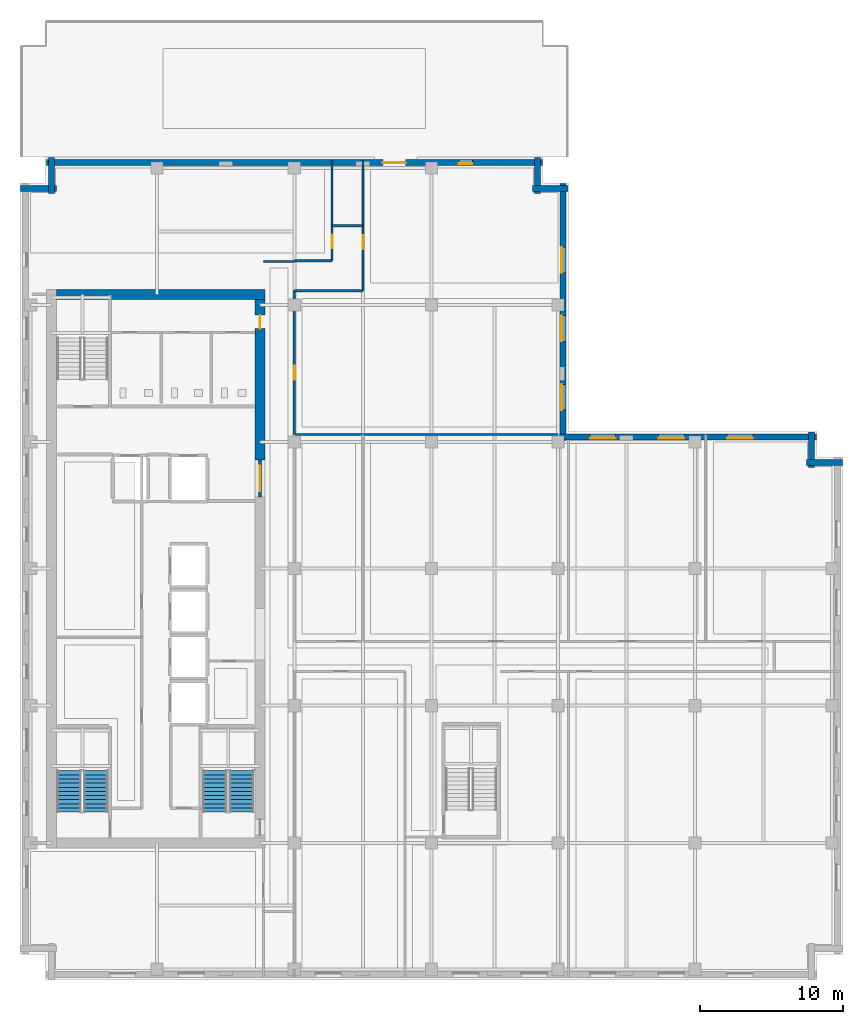
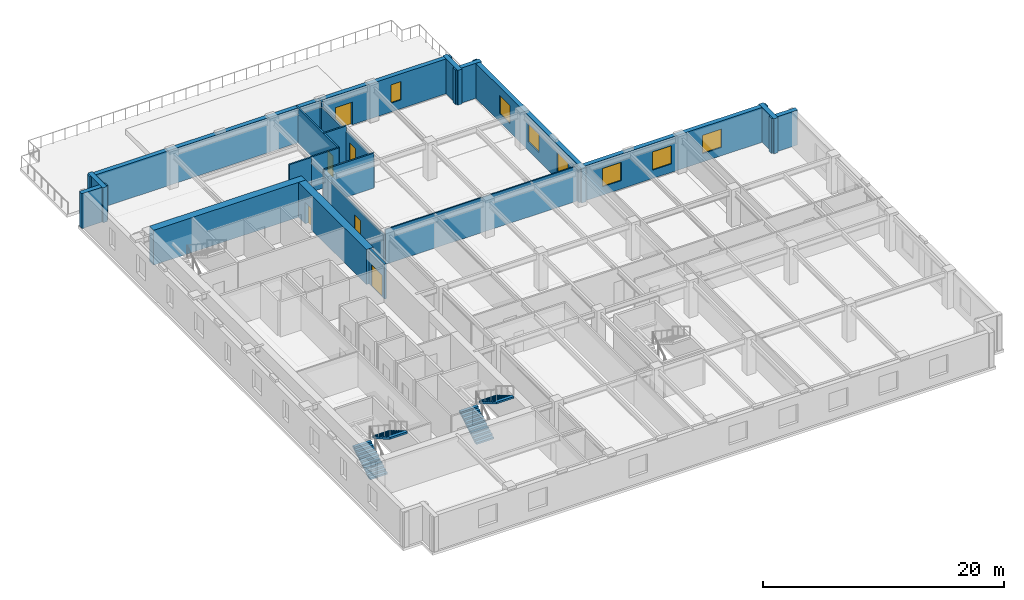
# One storey, part 6 of 12: 21 walls, 7 windows, 6 doors, 4 stair flights, 13 openings, 2 elements without a shape of their own.
"""IFC4 building model written with IfcOpenShell, lengths in metres."""

from ifc_helpers import new_model, si_unit, direction, frame, frame_2d, origin, place, context, subcontext, project, spatial, polyline, rectangle, outline, extrude, material, layer, layer_set, type_object, element, fill, aggregate, save


model = new_model("IFC4")

# Units and contexts
model_context = context("Model", 3, precision=1e-05, world=origin(), true_north=direction((0.0, 1.0)))
body_context = subcontext(model_context, "Body", "Model", "MODEL_VIEW")
ifc_project = project(units=[si_unit("LENGTHUNIT", "METRE"), si_unit("AREAUNIT", "SQUARE_METRE"), si_unit("VOLUMEUNIT", "CUBIC_METRE"), si_unit("PLANEANGLEUNIT", "RADIAN"), si_unit("MASSUNIT", "GRAM", prefix="KILO")], contexts=[model_context])

# Site, building, storey
site_placement = place(None, origin())
site = spatial("IfcSite", under=ifc_project, at=site_placement, CompositionType="ELEMENT")
building_placement = place(site_placement, origin())
building = spatial("IfcBuilding", under=site, at=building_placement, Name="Norrvale University Quadrangle", CompositionType="ELEMENT")
storey_placement = place(building_placement, frame((0.0, 0.0, 199.0)))
storey = spatial("IfcBuildingStorey", under=building, at=storey_placement, Name="L50", CompositionType="ELEMENT", Elevation=199.0)

# Walls
ifc_material_1 = material(Name="Buff Norman Clay Brick Masonry", Category="masonry")
ifc_layer_1 = layer(ifc_material_1, 0.419921875, Name="Buff Norman Clay Brick Masonry")
ifc_layer_set_1 = layer_set([ifc_layer_1], Name="Buff Norman Clay Brick Masonry")
wall_type_1 = type_object("IfcWallType", Name="Wall Buff Brick 420", PredefinedType="SOLIDWALL", material=ifc_layer_set_1)
for number, where, z_axis, x_axis, name in (
    (1, (57.56005859375, 36.2099609375, 0.0), (0.0, 0.0, 1.0), (-1.0, 0.0, 0.0), "Exterior Brick Facade Wall L50-05.1"),
    (2, (55.409912109375, 35.860107421875, 0.0), (0.0, 0.0, 1.0), (0.0, 1.0, 0.0), "Exterior Brick Facade Wall L50-06.1"),
):
    element("IfcWall", number, at=place(storey_placement, frame(where, z_axis=z_axis, x_axis=x_axis)), inside=storey, type_object=wall_type_1, Name=name, PredefinedType="SOLIDWALL", context=body_context, shape_type="SweptSolid", body=[
        extrude(rectangle(XDim=2.5, YDim=0.419921875, at=frame_2d((1.25, 0.0))), origin(), (0.0, 0.0, 1.0), 3.5400390625),
    ])

# Wall, openings, windows
wall_1_placement = place(storey_placement, frame((55.760009765625, 38.010009765625, 0.0), z_axis=(0.0, 0.0, 1.0), x_axis=(-1.0, 0.0, 0.0)))
wall_1 = element("IfcWall", 3, at=wall_1_placement, inside=storey, type_object=wall_type_1, Name="Exterior Brick Facade Wall L50-07.1", PredefinedType="SOLIDWALL", context=body_context, shape_type="SweptSolid", body=[
    extrude(rectangle(XDim=18.10009765625, YDim=0.419921875, at=frame_2d((9.050048828125, 0.0))), origin(), (0.0, 0.0, 1.0), 3.5400390625),
])
opening_1_placement = place(wall_1_placement, frame((4.4599609375, 0.0, 0.85009765625)))
opening_1 = element("IfcOpeningElement", 4, at=opening_1_placement, cuts=wall_1, Name="Opening W01", PredefinedType="OPENING", context=body_context, shape_type="SweptSolid", body=[
    extrude(rectangle(XDim=1.800048828125, YDim=1.85009765625, at=frame_2d((0.89990234375, 0.925048828125))), frame((0.0, 0.221923828125, 0.0), z_axis=(0.0, -1.0, 0.0), x_axis=(1.0, 0.0, 0.0)), (0.0, 0.0, 1.0), 0.44384765625),
])
opening_2_placement = place(wall_1_placement, frame((9.260009765625, 0.0, 0.85009765625)))
opening_2 = element("IfcOpeningElement", 5, at=opening_2_placement, cuts=wall_1, Name="Opening W01", PredefinedType="OPENING", context=body_context, shape_type="SweptSolid", body=[
    extrude(rectangle(XDim=1.800048828125, YDim=1.85009765625, at=frame_2d((0.89990234375, 0.925048828125))), frame((0.0, 0.221923828125, 0.0), z_axis=(0.0, -1.0, 0.0), x_axis=(1.0, 0.0, 0.0)), (0.0, 0.0, 1.0), 0.44384765625),
])
opening_3_placement = place(wall_1_placement, frame((14.06005859375, 0.0, 0.85009765625)))
opening_3 = element("IfcOpeningElement", 6, at=opening_3_placement, cuts=wall_1, Name="Opening W01", PredefinedType="OPENING", context=body_context, shape_type="SweptSolid", body=[
    extrude(rectangle(XDim=1.800048828125, YDim=1.85009765625, at=frame_2d((0.89990234375, 0.925048828125))), frame((0.0, 0.221923828125, 0.0), z_axis=(0.0, -1.0, 0.0), x_axis=(1.0, 0.0, 0.0)), (0.0, 0.0, 1.0), 0.44384765625),
])
ifc_material_2 = material(Name="Triple Low-E Argon Glazing", Category="glass")
window_type_1 = type_object("IfcWindowType", Name="Window Academic 1800x2300", PartitioningType="DOUBLE_PANEL_VERTICAL", PredefinedType="WINDOW", material=ifc_material_2)
window_1_placement = place(opening_1_placement, origin())
window_1 = element("IfcWindow", 7, at=window_1_placement, inside=storey, type_object=window_type_1, Name="Window Academic 1800x2300 WIN-L50-E07-1-01", OverallHeight=1.85009765625, OverallWidth=1.800048828125, PartitioningType="DOUBLE_PANEL_VERTICAL", PredefinedType="WINDOW", context=body_context, shape_type="SweptSolid", body=[
    extrude(rectangle(XDim=1.800048828125, YDim=1.85009765625, at=frame_2d((0.89990234375, 0.925048828125))), frame((0.0, 0.110107421875, 0.0), z_axis=(0.0, -1.0, 0.0), x_axis=(1.0, 0.0, 0.0)), (0.0, 0.0, 1.0), 0.06005859375),
])
fill(opening_1, window_1)
window_2_placement = place(opening_2_placement, origin())
window_2 = element("IfcWindow", 8, at=window_2_placement, inside=storey, type_object=window_type_1, Name="Window Academic 1800x2300 WIN-L50-E07-1-02", OverallHeight=1.85009765625, OverallWidth=1.800048828125, PartitioningType="DOUBLE_PANEL_VERTICAL", PredefinedType="WINDOW", context=body_context, shape_type="SweptSolid", body=[
    extrude(rectangle(XDim=1.800048828125, YDim=1.85009765625, at=frame_2d((0.89990234375, 0.925048828125))), frame((0.0, 0.110107421875, 0.0), z_axis=(0.0, -1.0, 0.0), x_axis=(1.0, 0.0, 0.0)), (0.0, 0.0, 1.0), 0.06005859375),
])
fill(opening_2, window_2)
window_3_placement = place(opening_3_placement, origin())
window_3 = element("IfcWindow", 9, at=window_3_placement, inside=storey, type_object=window_type_1, Name="Window Academic 1800x2300 WIN-L50-E07-1-03", OverallHeight=1.85009765625, OverallWidth=1.800048828125, PartitioningType="DOUBLE_PANEL_VERTICAL", PredefinedType="WINDOW", context=body_context, shape_type="SweptSolid", body=[
    extrude(rectangle(XDim=1.800048828125, YDim=1.85009765625, at=frame_2d((0.89990234375, 0.925048828125))), frame((0.0, 0.110107421875, 0.0), z_axis=(0.0, -1.0, 0.0), x_axis=(1.0, 0.0, 0.0)), (0.0, 0.0, 1.0), 0.06005859375),
])
fill(opening_3, window_3)

wall_2_placement = place(storey_placement, frame((38.010009765625, 37.659912109375, 0.0), z_axis=(0.0, 0.0, 1.0), x_axis=(0.0, 1.0, 0.0)))
wall_2 = element("IfcWall", 10, at=wall_2_placement, inside=storey, type_object=wall_type_1, Name="Exterior Brick Facade Wall L50-08.1", PredefinedType="SOLIDWALL", context=body_context, shape_type="SweptSolid", body=[
    extrude(rectangle(XDim=18.10009765625, YDim=0.419921875, at=frame_2d((9.050048828125, 0.0))), origin(), (0.0, 0.0, 1.0), 3.5400390625),
])
opening_4_placement = place(wall_2_placement, frame((2.239990234375, 0.0, 0.85009765625)))
opening_4 = element("IfcOpeningElement", 11, at=opening_4_placement, cuts=wall_2, Name="Opening W01", PredefinedType="OPENING", context=body_context, shape_type="SweptSolid", body=[
    extrude(rectangle(XDim=1.800048828125, YDim=1.85009765625, at=frame_2d((0.89990234375, 0.925048828125))), frame((0.0, 0.221923828125, 0.0), z_axis=(0.0, -1.0, 0.0), x_axis=(1.0, 0.0, 0.0)), (0.0, 0.0, 1.0), 0.44384765625),
])
opening_5_placement = place(wall_2_placement, frame((7.0400390625, 0.0, 0.85009765625)))
opening_5 = element("IfcOpeningElement", 12, at=opening_5_placement, cuts=wall_2, Name="Opening W01", PredefinedType="OPENING", context=body_context, shape_type="SweptSolid", body=[
    extrude(rectangle(XDim=1.800048828125, YDim=1.85009765625, at=frame_2d((0.89990234375, 0.925048828125))), frame((0.0, 0.221923828125, 0.0), z_axis=(0.0, -1.0, 0.0), x_axis=(1.0, 0.0, 0.0)), (0.0, 0.0, 1.0), 0.44384765625),
])
opening_6_placement = place(wall_2_placement, frame((11.840087890625, 0.0, 0.85009765625)))
opening_6 = element("IfcOpeningElement", 13, at=opening_6_placement, cuts=wall_2, Name="Opening W01", PredefinedType="OPENING", context=body_context, shape_type="SweptSolid", body=[
    extrude(rectangle(XDim=1.800048828125, YDim=1.85009765625, at=frame_2d((0.89990234375, 0.925048828125))), frame((0.0, 0.221923828125, 0.0), z_axis=(0.0, -1.0, 0.0), x_axis=(1.0, 0.0, 0.0)), (0.0, 0.0, 1.0), 0.44384765625),
])
window_4_placement = place(opening_4_placement, origin())
window_4 = element("IfcWindow", 14, at=window_4_placement, inside=storey, type_object=window_type_1, Name="Window Academic 1800x2300 WIN-L50-E08-1-01", OverallHeight=1.85009765625, OverallWidth=1.800048828125, PartitioningType="DOUBLE_PANEL_VERTICAL", PredefinedType="WINDOW", context=body_context, shape_type="SweptSolid", body=[
    extrude(rectangle(XDim=1.800048828125, YDim=1.85009765625, at=frame_2d((0.89990234375, 0.925048828125))), frame((0.0, 0.110107421875, 0.0), z_axis=(0.0, -1.0, 0.0), x_axis=(1.0, 0.0, 0.0)), (0.0, 0.0, 1.0), 0.06005859375),
])
fill(opening_4, window_4)
window_5_placement = place(opening_5_placement, origin())
window_5 = element("IfcWindow", 15, at=window_5_placement, inside=storey, type_object=window_type_1, Name="Window Academic 1800x2300 WIN-L50-E08-1-02", OverallHeight=1.85009765625, OverallWidth=1.800048828125, PartitioningType="DOUBLE_PANEL_VERTICAL", PredefinedType="WINDOW", context=body_context, shape_type="SweptSolid", body=[
    extrude(rectangle(XDim=1.800048828125, YDim=1.85009765625, at=frame_2d((0.89990234375, 0.925048828125))), frame((0.0, 0.110107421875, 0.0), z_axis=(0.0, -1.0, 0.0), x_axis=(1.0, 0.0, 0.0)), (0.0, 0.0, 1.0), 0.06005859375),
])
fill(opening_5, window_5)
window_6_placement = place(opening_6_placement, origin())
window_6 = element("IfcWindow", 16, at=window_6_placement, inside=storey, type_object=window_type_1, Name="Window Academic 1800x2300 WIN-L50-E08-1-03", OverallHeight=1.85009765625, OverallWidth=1.800048828125, PartitioningType="DOUBLE_PANEL_VERTICAL", PredefinedType="WINDOW", context=body_context, shape_type="SweptSolid", body=[
    extrude(rectangle(XDim=1.800048828125, YDim=1.85009765625, at=frame_2d((0.89990234375, 0.925048828125))), frame((0.0, 0.110107421875, 0.0), z_axis=(0.0, -1.0, 0.0), x_axis=(1.0, 0.0, 0.0)), (0.0, 0.0, 1.0), 0.06005859375),
])
fill(opening_6, window_6)

# Walls
for number, where, z_axis, x_axis, name in (
    (17, (38.360107421875, 55.409912109375, 0.0), (0.0, 0.0, 1.0), (-1.0, 0.0, 0.0), "Exterior Brick Facade Wall L50-09.1"),
    (18, (36.2099609375, 55.06005859375, 0.0), (0.0, 0.0, 1.0), (0.0, 1.0, 0.0), "Exterior Brick Facade Wall L50-10.1"),
):
    element("IfcWall", number, at=place(storey_placement, frame(where, z_axis=z_axis, x_axis=x_axis)), inside=storey, type_object=wall_type_1, Name=name, PredefinedType="SOLIDWALL", context=body_context, shape_type="SweptSolid", body=[
        extrude(rectangle(XDim=2.5, YDim=0.419921875, at=frame_2d((1.25, 0.0))), origin(), (0.0, 0.0, 1.0), 3.5400390625),
    ])

# Wall, openings, door, window
wall_3_placement = place(storey_placement, frame((36.56005859375, 57.2099609375, 0.0), z_axis=(0.0, 0.0, 1.0), x_axis=(-1.0, 0.0, 0.0)))
wall_3 = element("IfcWall", 19, at=wall_3_placement, inside=storey, type_object=wall_type_1, Name="Exterior Brick Facade Wall L50-11.1", PredefinedType="SOLIDWALL", context=body_context, shape_type="SweptSolid", body=[
    extrude(rectangle(XDim=34.719970703125, YDim=0.419921875, at=frame_2d((17.35986328125, 0.0))), origin(), (0.0, 0.0, 1.0), 3.5400390625),
])
opening_7_placement = place(wall_3_placement, frame((9.56005859375, 0.0, 0.0)))
opening_7 = element("IfcOpeningElement", 20, at=opening_7_placement, cuts=wall_3, Name="Opening D09", PredefinedType="OPENING", context=body_context, shape_type="SweptSolid", body=[
    extrude(rectangle(XDim=1.60009765625, YDim=2.300048828125, at=frame_2d((0.800048828125, 1.14990234375))), frame((0.0, 0.221923828125, 0.0), z_axis=(0.0, -1.0, 0.0), x_axis=(1.0, 0.0, 0.0)), (0.0, 0.0, 1.0), 0.44384765625),
])
opening_8_placement = place(wall_3_placement, frame((4.885009765625, 0.0, 0.89990234375)))
opening_8 = element("IfcOpeningElement", 21, at=opening_8_placement, cuts=wall_3, Name="Opening W04", PredefinedType="OPENING", context=body_context, shape_type="SweptSolid", body=[
    extrude(rectangle(XDim=0.949951171875, YDim=1.85009765625, at=frame_2d((0.47509765625, 0.925048828125))), frame((0.0, 0.221923828125, 0.0), z_axis=(0.0, -1.0, 0.0), x_axis=(1.0, 0.0, 0.0)), (0.0, 0.0, 1.0), 0.44384765625),
])
ifc_material_3 = material(Name="Thermally Broken Glazed Terrace Door")
door_type_1 = type_object("IfcDoorType", Name="Door Terrace 1600x2300", OperationType="DOUBLE_SWING_LEFT", PredefinedType="DOOR", material=ifc_material_3)
door_1_placement = place(opening_7_placement, frame((1.60009765625, 0.0, 0.0), z_axis=(0.0, 0.0, 1.0), x_axis=(-1.0, 0.0, 0.0)))
door_1 = element("IfcDoor", 22, at=door_1_placement, inside=storey, type_object=door_type_1, Name="Door Terrace 1600x2300 DR-L50-TERR-N", OperationType="DOUBLE_SWING_LEFT", OverallHeight=2.300048828125, OverallWidth=1.60009765625, PredefinedType="DOOR", context=body_context, shape_type="SweptSolid", body=[
    extrude(rectangle(XDim=1.60009765625, YDim=2.300048828125, at=frame_2d((0.800048828125, 1.14990234375))), frame((0.0, 0.02490234375, 0.0), z_axis=(0.0, -1.0, 0.0), x_axis=(1.0, 0.0, 0.0)), (0.0, 0.0, 1.0), 0.050048828125),
])
fill(opening_7, door_1)
window_type_2 = type_object("IfcWindowType", Name="Window Narrow Pier 950x2300", PartitioningType="SINGLE_PANEL", PredefinedType="WINDOW", material=ifc_material_2)
window_7_placement = place(opening_8_placement, origin())
window_7 = element("IfcWindow", 23, at=window_7_placement, inside=storey, type_object=window_type_2, Name="Window Narrow Pier 950x2300 WIN-L50-E11-1-01", OverallHeight=1.85009765625, OverallWidth=0.949951171875, PartitioningType="SINGLE_PANEL", PredefinedType="WINDOW", context=body_context, shape_type="SweptSolid", body=[
    extrude(rectangle(XDim=0.949951171875, YDim=1.85009765625, at=frame_2d((0.47509765625, 0.925048828125))), frame((0.0, 0.110107421875, 0.0), z_axis=(0.0, -1.0, 0.0), x_axis=(1.0, 0.0, 0.0)), (0.0, 0.0, 1.0), 0.06005859375),
])
fill(opening_8, window_7)

# Walls
for number, where, z_axis, x_axis, name in (
    (24, (2.18994140625, 57.56005859375, 0.0), (0.0, 0.0, 1.0), (0.0, -1.0, 0.0), "Exterior Brick Facade Wall L50-12.1"),
    (25, (2.5400390625, 55.409912109375, 0.0), (0.0, 0.0, 1.0), (-1.0, 0.0, 0.0), "Exterior Brick Facade Wall L50-13.1"),
):
    element("IfcWall", number, at=place(storey_placement, frame(where, z_axis=z_axis, x_axis=x_axis)), inside=storey, type_object=wall_type_1, Name=name, PredefinedType="SOLIDWALL", context=body_context, shape_type="SweptSolid", body=[
        extrude(rectangle(XDim=2.5, YDim=0.419921875, at=frame_2d((1.25, 0.0))), origin(), (0.0, 0.0, 1.0), 3.5400390625),
    ])
ifc_material_4 = material(Name="Concrete C60/75", Category="concrete")
ifc_layer_2 = layer(ifc_material_4, 0.699951171875, Name="Concrete C60/75")
ifc_layer_set_2 = layer_set([ifc_layer_2], Name="Concrete C60/75")
wall_type_2 = type_object("IfcWallType", Name="Wall Core 700", PredefinedType="SHEAR", material=ifc_layer_set_2)
wall_4_placement = place(storey_placement, frame((2.550048828125, 48.0, 0.0), z_axis=(0.0, 0.0, 1.0), x_axis=(1.0, 0.0, 0.0)))
element("IfcWall", 26, at=wall_4_placement, inside=storey, type_object=wall_type_2, Name="Tower Core Shear Wall L50-N", PredefinedType="SHEAR", context=body_context, shape_type="SweptSolid", body=[
    extrude(rectangle(XDim=14.599853515625, YDim=0.699951171875, at=frame_2d((7.2998046875, 0.0))), origin(), (0.0, 0.0, 1.0), 3.5400390625),
])

# Wall, opening, door
wall_5_placement = place(storey_placement, frame((16.800048828125, 36.39990234375, 0.0), z_axis=(0.0, 0.0, 1.0), x_axis=(0.0, 1.0, 0.0)))
wall_5 = element("IfcWall", 27, at=wall_5_placement, inside=storey, type_object=wall_type_2, Name="Tower Core Shear Wall L50-E3", PredefinedType="SHEAR", context=body_context, shape_type="SweptSolid", body=[
    extrude(rectangle(XDim=11.25, YDim=0.699951171875, at=frame_2d((5.625, 0.0))), origin(), (0.0, 0.0, 1.0), 3.5400390625),
])
opening_9_placement = place(wall_5_placement, frame((9.199951171875, 0.0, 0.0)))
opening_9 = element("IfcOpeningElement", 28, at=opening_9_placement, cuts=wall_5, Name="Opening D07", PredefinedType="OPENING", context=body_context, shape_type="SweptSolid", body=[
    extrude(rectangle(XDim=0.949951171875, YDim=2.14990234375, at=frame_2d((0.47509765625, 1.074951171875))), frame((0.0, 0.362060546875, 0.0), z_axis=(0.0, -1.0, 0.0), x_axis=(1.0, 0.0, 0.0)), (0.0, 0.0, 1.0), 0.723876953125),
])
ifc_material_5 = material(Name="Solid-Core Maple Door", Category="wood")
door_type_2 = type_object("IfcDoorType", Name="Door Office 950x2150", OperationType="NOTDEFINED", PredefinedType="DOOR", material=ifc_material_5)
door_2_placement = place(opening_9_placement, origin())
door_2 = element("IfcDoor", 29, at=door_2_placement, inside=storey, type_object=door_type_2, Name="Door Office 950x2150 DR-L50-NECORR", OperationType="SINGLE_SWING_LEFT", OverallHeight=2.14990234375, OverallWidth=0.949951171875, PredefinedType="DOOR", context=body_context, shape_type="SweptSolid", body=[
    extrude(rectangle(XDim=0.949951171875, YDim=2.14990234375, at=frame_2d((0.47509765625, 1.074951171875))), frame((0.0, 0.02490234375, 0.0), z_axis=(0.0, -1.0, 0.0), x_axis=(1.0, 0.0, 0.0)), (0.0, 0.0, 1.0), 0.050048828125),
])
fill(opening_9, door_2)

# Walls
ifc_material_6 = material(Name="Standard Academic Gypsum Partition")
ifc_layer_3 = layer(ifc_material_6, 0.125, Name="Standard Academic Gypsum Partition")
ifc_layer_set_3 = layer_set([ifc_layer_3], Name="Standard Academic Gypsum Partition")
wall_type_3 = type_object("IfcWallType", Name="Wall Gypsum Academic 125", PredefinedType="PARTITIONING", material=ifc_layer_set_3)
wall_6_placement = place(storey_placement, frame((19.280029296875, 38.179931640625, 0.0), z_axis=(0.0, 0.0, 1.0), x_axis=(1.0, 0.0, 0.0)))
element("IfcWall", 30, at=wall_6_placement, inside=storey, type_object=wall_type_3, Name="Interior Partition WL-L50-ME-N", PredefinedType="PARTITIONING", context=body_context, shape_type="SweptSolid", body=[
    extrude(rectangle(XDim=18.369873046875, YDim=0.125, at=frame_2d((9.18505859375, 0.0))), origin(), (0.0, 0.0, 1.0), 3.5400390625),
])
ifc_material_7 = material(Name="Fire-Rated Gypsum Stud Partition")
ifc_layer_4 = layer(ifc_material_7, 0.14990234375, Name="Fire-Rated Gypsum Stud Partition")
ifc_layer_set_4 = layer_set([ifc_layer_4], Name="Fire-Rated Gypsum Stud Partition")
wall_type_4 = type_object("IfcWallType", Name="Wall Gypsum Corridor 150", PredefinedType="PARTITIONING", material=ifc_layer_set_4)
wall_7_placement = place(storey_placement, frame((17.050048828125, 50.300048828125, 0.0), z_axis=(0.0, 0.0, 1.0), x_axis=(1.0, 0.0, 0.0)))
element("IfcWall", 31, at=wall_7_placement, inside=storey, type_object=wall_type_4, Name="Interior Partition WL-L50-CSP-N", PredefinedType="PARTITIONING", context=body_context, shape_type="SweptSolid", body=[
    extrude(rectangle(XDim=2.14990234375, YDim=0.14990234375, at=frame_2d((1.074951171875, 0.0))), origin(), (0.0, 0.0, 1.0), 3.5400390625),
])

# Wall, opening, door
wall_8_placement = place(storey_placement, frame((19.199951171875, 38.179931640625, 0.0), z_axis=(0.0, 0.0, 1.0), x_axis=(0.0, 1.0, 0.0)))
wall_8 = element("IfcWall", 32, at=wall_8_placement, inside=storey, type_object=wall_type_4, Name="Interior Partition WL-L50-MNECW", PredefinedType="PARTITIONING", context=body_context, shape_type="SweptSolid", body=[
    extrude(rectangle(XDim=10.070068359375, YDim=0.14990234375, at=frame_2d((5.03515625, 0.0))), origin(), (0.0, 0.0, 1.0), 2.99609375),
])
opening_10_placement = place(wall_8_placement, frame((3.85009765625, 0.0, 0.0)))
opening_10 = element("IfcOpeningElement", 33, at=opening_10_placement, cuts=wall_8, Name="Opening D07", PredefinedType="OPENING", context=body_context, shape_type="SweptSolid", body=[
    extrude(rectangle(XDim=0.949951171875, YDim=2.14990234375, at=frame_2d((0.47509765625, 1.074951171875))), frame((0.0, 0.0869140625, 0.0), z_axis=(0.0, -1.0, 0.0), x_axis=(1.0, 0.0, 0.0)), (0.0, 0.0, 1.0), 0.173828125),
])
door_3_placement = place(opening_10_placement, origin())
door_3 = element("IfcDoor", 34, at=door_3_placement, inside=storey, type_object=door_type_2, Name="Door Office 950x2150 DR-L50-MNE01", OperationType="SINGLE_SWING_RIGHT", OverallHeight=2.14990234375, OverallWidth=0.949951171875, PredefinedType="DOOR", context=body_context, shape_type="SweptSolid", body=[
    extrude(rectangle(XDim=0.949951171875, YDim=2.14990234375, at=frame_2d((0.47509765625, 1.074951171875))), frame((0.0, 0.02490234375, 0.0), z_axis=(0.0, -1.0, 0.0), x_axis=(1.0, 0.0, 0.0)), (0.0, 0.0, 1.0), 0.050048828125),
])
fill(opening_10, door_3)

# Walls
wall_9_placement = place(storey_placement, frame((19.199951171875, 48.25, 0.0), z_axis=(0.0, 0.0, 1.0), x_axis=(1.0, 0.0, 0.0)))
element("IfcWall", 35, at=wall_9_placement, inside=storey, type_object=wall_type_4, Name="Interior Partition WL-L50-JOGS", PredefinedType="PARTITIONING", context=body_context, shape_type="SweptSolid", body=[
    extrude(rectangle(XDim=4.800048828125, YDim=0.14990234375, at=frame_2d((2.39990234375, 0.0))), origin(), (0.0, 0.0, 1.0), 3.5400390625),
])
wall_10_placement = place(storey_placement, frame((19.199951171875, 50.35009765625, 0.0), z_axis=(0.0, 0.0, 1.0), x_axis=(1.0, 0.0, 0.0)))
element("IfcWall", 36, at=wall_10_placement, inside=storey, type_object=wall_type_4, Name="Interior Partition WL-L50-JOGN", PredefinedType="PARTITIONING", context=body_context, shape_type="SweptSolid", body=[
    extrude(rectangle(XDim=2.650146484375, YDim=0.14990234375, at=frame_2d((1.3251953125, 0.0))), origin(), (0.0, 0.0, 1.0), 3.5400390625),
])
wall_11_placement = place(storey_placement, frame((21.85009765625, 52.800048828125, 0.0), z_axis=(0.0, 0.0, 1.0), x_axis=(1.0, 0.0, 0.0)))
element("IfcWall", 37, at=wall_11_placement, inside=storey, type_object=wall_type_4, Name="Interior Partition WL-L50-JOGEND", PredefinedType="PARTITIONING", context=body_context, shape_type="SweptSolid", body=[
    extrude(rectangle(XDim=2.14990234375, YDim=0.14990234375, at=frame_2d((1.074951171875, 0.0))), origin(), (0.0, 0.0, 1.0), 3.5400390625),
])

# Wall, opening, door
wall_12_placement = place(storey_placement, frame((24.0, 48.25, 0.0), z_axis=(0.0, 0.0, 1.0), x_axis=(0.0, 1.0, 0.0)))
wall_12 = element("IfcWall", 38, at=wall_12_placement, inside=storey, type_object=wall_type_4, Name="Interior Partition WL-L50-NECW", PredefinedType="PARTITIONING", context=body_context, shape_type="SweptSolid", body=[
    extrude(rectangle(XDim=8.493896484375, YDim=0.14990234375, at=frame_2d((4.2470703125, 0.0))), origin(), (0.0, 0.0, 1.0), 3.007080078125),
])
opening_11_placement = place(wall_12_placement, frame((2.89990234375, 0.0, 0.0)))
opening_11 = element("IfcOpeningElement", 39, at=opening_11_placement, cuts=wall_12, Name="Opening D04", PredefinedType="OPENING", context=body_context, shape_type="SweptSolid", body=[
    extrude(rectangle(XDim=1.0, YDim=2.199951171875, at=frame_2d((0.5, 1.10009765625))), frame((0.0, 0.0869140625, 0.0), z_axis=(0.0, -1.0, 0.0), x_axis=(1.0, 0.0, 0.0)), (0.0, 0.0, 1.0), 0.173828125),
])
ifc_material_8 = material(Name="Solid-Core Oak Fire Door", Category="wood")
door_type_3 = type_object("IfcDoorType", Name="Door Corridor 1000x2200", OperationType="NOTDEFINED", PredefinedType="DOOR", material=ifc_material_8)
door_4_placement = place(opening_11_placement, origin())
door_4 = element("IfcDoor", 40, at=door_4_placement, inside=storey, type_object=door_type_3, Name="Door Corridor 1000x2200 DR-L50-NE01", OperationType="SINGLE_SWING_RIGHT", OverallHeight=2.199951171875, OverallWidth=1.0, PredefinedType="DOOR", context=body_context, shape_type="SweptSolid", body=[
    extrude(rectangle(XDim=1.0, YDim=2.199951171875, at=frame_2d((0.5, 1.10009765625))), frame((0.0, 0.02490234375, 0.0), z_axis=(0.0, -1.0, 0.0), x_axis=(1.0, 0.0, 0.0)), (0.0, 0.0, 1.0), 0.050048828125),
])
fill(opening_11, door_4)

# Wall
wall_13_placement = place(storey_placement, frame((24.0, 56.743896484375, 0.0), z_axis=(0.0, 0.0, 1.0), x_axis=(0.0, 1.0, 0.0)))
element("IfcWall", 41, at=wall_13_placement, inside=storey, type_object=wall_type_4, Name="Interior Partition WL-L50-NECW-B2", PredefinedType="PARTITIONING", context=body_context, shape_type="SweptSolid", body=[
    extrude(rectangle(XDim=0.635986328125, YDim=0.14990234375, at=frame_2d((0.31787109375, 0.0))), origin(), (0.0, 0.0, 1.0), 3.5400390625),
])

# Wall, opening, door
wall_14_placement = place(storey_placement, frame((21.85009765625, 50.35009765625, 0.0), z_axis=(0.0, 0.0, 1.0), x_axis=(0.0, 1.0, 0.0)))
wall_14 = element("IfcWall", 42, at=wall_14_placement, inside=storey, type_object=wall_type_4, Name="Interior Partition WL-L50-NWCW", PredefinedType="PARTITIONING", context=body_context, shape_type="SweptSolid", body=[
    extrude(rectangle(XDim=7.02978515625, YDim=0.14990234375, at=frame_2d((3.514892578125, 0.0))), origin(), (0.0, 0.0, 1.0), 3.5400390625),
])
opening_12_placement = place(wall_14_placement, frame((0.875, 0.0, 0.0)))
opening_12 = element("IfcOpeningElement", 43, at=opening_12_placement, cuts=wall_14, Name="Opening D07", PredefinedType="OPENING", context=body_context, shape_type="SweptSolid", body=[
    extrude(rectangle(XDim=0.949951171875, YDim=2.14990234375, at=frame_2d((0.47509765625, 1.074951171875))), frame((0.0, 0.0869140625, 0.0), z_axis=(0.0, -1.0, 0.0), x_axis=(1.0, 0.0, 0.0)), (0.0, 0.0, 1.0), 0.173828125),
])
door_5_placement = place(opening_12_placement, origin())
door_5 = element("IfcDoor", 44, at=door_5_placement, inside=storey, type_object=door_type_2, Name="Door Office 950x2150 DR-L50-NW01", OperationType="SINGLE_SWING_RIGHT", OverallHeight=2.14990234375, OverallWidth=0.949951171875, PredefinedType="DOOR", context=body_context, shape_type="SweptSolid", body=[
    extrude(rectangle(XDim=0.949951171875, YDim=2.14990234375, at=frame_2d((0.47509765625, 1.074951171875))), frame((0.0, 0.02490234375, 0.0), z_axis=(0.0, -1.0, 0.0), x_axis=(1.0, 0.0, 0.0)), (0.0, 0.0, 1.0), 0.050048828125),
])
fill(opening_12, door_5)

ifc_material_9 = material(Name="Concrete Blockwork 20 MPa Rated Wall", Category="masonry")
ifc_layer_5 = layer(ifc_material_9, 0.199951171875, Name="Concrete Blockwork 20 MPa Rated Wall")
ifc_layer_set_5 = layer_set([ifc_layer_5], Name="Concrete Blockwork 20 MPa Rated Wall")
wall_type_5 = type_object("IfcWallType", Name="Wall Lobby 200", PredefinedType="SOLIDWALL", material=ifc_layer_set_5)
wall_15_placement = place(storey_placement, frame((16.800048828125, 33.800048828125, 0.0), z_axis=(0.0, 0.0, 1.0), x_axis=(0.0, 1.0, 0.0)))
wall_15 = element("IfcWall", 45, at=wall_15_placement, inside=storey, type_object=wall_type_5, Name="Interior Partition WL-L50-FFP", PredefinedType="SOLIDWALL", context=body_context, shape_type="SweptSolid", body=[
    extrude(rectangle(XDim=2.599853515625, YDim=0.199951171875, at=frame_2d((1.2998046875, 0.0))), origin(), (0.0, 0.0, 1.0), 3.5400390625),
])
opening_13_placement = place(wall_15_placement, frame((0.39990234375, 0.0, 0.0)))
opening_13 = element("IfcOpeningElement", 46, at=opening_13_placement, cuts=wall_15, Name="Opening D03", PredefinedType="OPENING", context=body_context, shape_type="SweptSolid", body=[
    extrude(rectangle(XDim=1.800048828125, YDim=2.199951171875, at=frame_2d((0.89990234375, 1.10009765625))), frame((0.0, 0.112060546875, 0.0), z_axis=(0.0, -1.0, 0.0), x_axis=(1.0, 0.0, 0.0)), (0.0, 0.0, 1.0), 0.223876953125),
])
ifc_material_10 = material(Name="Hollow Steel 350W Fire Door", Category="steel")
door_type_4 = type_object("IfcDoorType", Name="Door Fire Lobby 1800x2200", OperationType="DOUBLE_DOOR_SINGLE_SWING", PredefinedType="DOOR", material=ifc_material_10)
door_6_placement = place(opening_13_placement, origin())
door_6 = element("IfcDoor", 47, at=door_6_placement, inside=storey, type_object=door_type_4, Name="Door Fire Lobby 1800x2200 DR-L50-FFP", OperationType="DOUBLE_DOOR_SINGLE_SWING", OverallHeight=2.199951171875, OverallWidth=1.800048828125, PredefinedType="DOOR", context=body_context, shape_type="SweptSolid", body=[
    extrude(rectangle(XDim=1.800048828125, YDim=2.199951171875, at=frame_2d((0.89990234375, 1.10009765625))), frame((0.0, 0.02490234375, 0.0), z_axis=(0.0, -1.0, 0.0), x_axis=(1.0, 0.0, 0.0)), (0.0, 0.0, 1.0), 0.050048828125),
])
fill(opening_13, door_6)

# Stair, stair flights
ifc_material_11 = material(Name="Concrete C40/50", Category="concrete")
stair_type = type_object("IfcStairType", Name="Stair Tower Typ 3800", PredefinedType="TWO_STRAIGHT_RUN_STAIR", material=ifc_material_11)
stair_1_placement = place(storey_placement, origin())
stair_1 = element("IfcStair", 48, at=stair_1_placement, inside=storey, type_object=stair_type, Name="Exit Stair ST-01 L50", PredefinedType="TWO_STRAIGHT_RUN_STAIR")
stair_flight_type = type_object("IfcStairFlightType", Name="Flight Typ 1500", PredefinedType="STRAIGHT", material=ifc_material_11)
stair_flight_1_placement = place(storey_placement, frame((3.429931640625, 11.75, 0.0), z_axis=(0.0, 0.0, 1.0), x_axis=(0.0, 1.0, 0.0)))
stair_flight_1 = element("IfcStairFlight", 49, at=stair_flight_1_placement, type_object=stair_flight_type, Name="Exit Stair ST-01 L50 Lower Flight", NumberOfRisers=11, NumberOfTreads=10, PredefinedType="STRAIGHT", RiserHeight=0.172727, TreadLength=0.29, context=body_context, shape_type="SweptSolid", body=[
    extrude(outline(polyline([(0.0, 0.0), (0.0, 0.172607421875), (0.2900390625, 0.172607421875), (0.2900390625, 0.345458984375), (0.580078125, 0.345458984375), (0.580078125, 0.51806640625), (0.8701171875, 0.51806640625), (0.8701171875, 0.69091796875), (1.159912109375, 0.69091796875), (1.159912109375, 0.863525390625), (1.449951171875, 0.863525390625), (1.449951171875, 1.036376953125), (1.739990234375, 1.036376953125), (1.739990234375, 1.208984375), (2.030029296875, 1.208984375), (2.030029296875, 1.3818359375), (2.320068359375, 1.3818359375), (2.320068359375, 1.554443359375), (2.610107421875, 1.554443359375), (2.610107421875, 1.727294921875), (2.89990234375, 1.727294921875), (2.89990234375, 1.89990234375), (2.89990234375, 1.552734375), (0.29296875, 0.0), (0.0, 0.0)])), frame((0.0, 0.83984375, 0.0), z_axis=(0.0, -1.0, 0.0), x_axis=(1.0, 0.0, 0.0)), (0.0, 0.0, 1.0), 1.679931640625),
])
stair_flight_2_placement = place(storey_placement, frame((5.320068359375, 14.64990234375, 1.89990234375), z_axis=(0.0, 0.0, 1.0), x_axis=(0.0, -1.0, 0.0)))
stair_flight_2 = element("IfcStairFlight", 50, at=stair_flight_2_placement, type_object=stair_flight_type, Name="Exit Stair ST-01 L50 Upper Flight", NumberOfRisers=11, NumberOfTreads=10, PredefinedType="STRAIGHT", RiserHeight=0.172727, TreadLength=0.29, context=body_context, shape_type="SweptSolid", body=[
    extrude(outline(polyline([(0.0, 0.0), (0.0, 0.172607421875), (0.2900390625, 0.172607421875), (0.2900390625, 0.345458984375), (0.580078125, 0.345458984375), (0.580078125, 0.51806640625), (0.8701171875, 0.51806640625), (0.8701171875, 0.69091796875), (1.159912109375, 0.69091796875), (1.159912109375, 0.863525390625), (1.449951171875, 0.863525390625), (1.449951171875, 1.036376953125), (1.739990234375, 1.036376953125), (1.739990234375, 1.208984375), (2.030029296875, 1.208984375), (2.030029296875, 1.3818359375), (2.320068359375, 1.3818359375), (2.320068359375, 1.554443359375), (2.610107421875, 1.554443359375), (2.610107421875, 1.727294921875), (2.89990234375, 1.727294921875), (2.89990234375, 1.89990234375), (2.89990234375, 1.552734375), (0.29296875, 0.0), (0.0, 0.0)])), frame((0.0, 0.83984375, 0.0), z_axis=(0.0, -1.0, 0.0), x_axis=(1.0, 0.0, 0.0)), (0.0, 0.0, 1.0), 1.679931640625),
])
aggregate(stair_1, [stair_flight_1, stair_flight_2])

stair_2_placement = place(storey_placement, origin())
stair_2 = element("IfcStair", 51, at=stair_2_placement, inside=storey, type_object=stair_type, Name="Exit Stair ST-03 L50", PredefinedType="TWO_STRAIGHT_RUN_STAIR")
stair_flight_3_placement = place(storey_placement, frame((13.6298828125, 11.75, 0.0), z_axis=(0.0, 0.0, 1.0), x_axis=(0.0, 1.0, 0.0)))
stair_flight_3 = element("IfcStairFlight", 52, at=stair_flight_3_placement, type_object=stair_flight_type, Name="Exit Stair ST-03 L50 Lower Flight", NumberOfRisers=11, NumberOfTreads=10, PredefinedType="STRAIGHT", RiserHeight=0.172727, TreadLength=0.29, context=body_context, shape_type="SweptSolid", body=[
    extrude(outline(polyline([(0.0, 0.0), (0.0, 0.172607421875), (0.2900390625, 0.172607421875), (0.2900390625, 0.345458984375), (0.580078125, 0.345458984375), (0.580078125, 0.51806640625), (0.8701171875, 0.51806640625), (0.8701171875, 0.69091796875), (1.159912109375, 0.69091796875), (1.159912109375, 0.863525390625), (1.449951171875, 0.863525390625), (1.449951171875, 1.036376953125), (1.739990234375, 1.036376953125), (1.739990234375, 1.208984375), (2.030029296875, 1.208984375), (2.030029296875, 1.3818359375), (2.320068359375, 1.3818359375), (2.320068359375, 1.554443359375), (2.610107421875, 1.554443359375), (2.610107421875, 1.727294921875), (2.89990234375, 1.727294921875), (2.89990234375, 1.89990234375), (2.89990234375, 1.552734375), (0.29296875, 0.0), (0.0, 0.0)])), frame((0.0, 0.83984375, 0.0), z_axis=(0.0, -1.0, 0.0), x_axis=(1.0, 0.0, 0.0)), (0.0, 0.0, 1.0), 1.679931640625),
])
stair_flight_4_placement = place(storey_placement, frame((15.52001953125, 14.64990234375, 1.89990234375), z_axis=(0.0, 0.0, 1.0), x_axis=(0.0, -1.0, 0.0)))
stair_flight_4 = element("IfcStairFlight", 53, at=stair_flight_4_placement, type_object=stair_flight_type, Name="Exit Stair ST-03 L50 Upper Flight", NumberOfRisers=11, NumberOfTreads=10, PredefinedType="STRAIGHT", RiserHeight=0.172727, TreadLength=0.29, context=body_context, shape_type="SweptSolid", body=[
    extrude(outline(polyline([(0.0, 0.0), (0.0, 0.172607421875), (0.2900390625, 0.172607421875), (0.2900390625, 0.345458984375), (0.580078125, 0.345458984375), (0.580078125, 0.51806640625), (0.8701171875, 0.51806640625), (0.8701171875, 0.69091796875), (1.159912109375, 0.69091796875), (1.159912109375, 0.863525390625), (1.449951171875, 0.863525390625), (1.449951171875, 1.036376953125), (1.739990234375, 1.036376953125), (1.739990234375, 1.208984375), (2.030029296875, 1.208984375), (2.030029296875, 1.3818359375), (2.320068359375, 1.3818359375), (2.320068359375, 1.554443359375), (2.610107421875, 1.554443359375), (2.610107421875, 1.727294921875), (2.89990234375, 1.727294921875), (2.89990234375, 1.89990234375), (2.89990234375, 1.552734375), (0.29296875, 0.0), (0.0, 0.0)])), frame((0.0, 0.83984375, 0.0), z_axis=(0.0, -1.0, 0.0), x_axis=(1.0, 0.0, 0.0)), (0.0, 0.0, 1.0), 1.679931640625),
])
aggregate(stair_2, [stair_flight_3, stair_flight_4])

save(model, "model.ifc")
